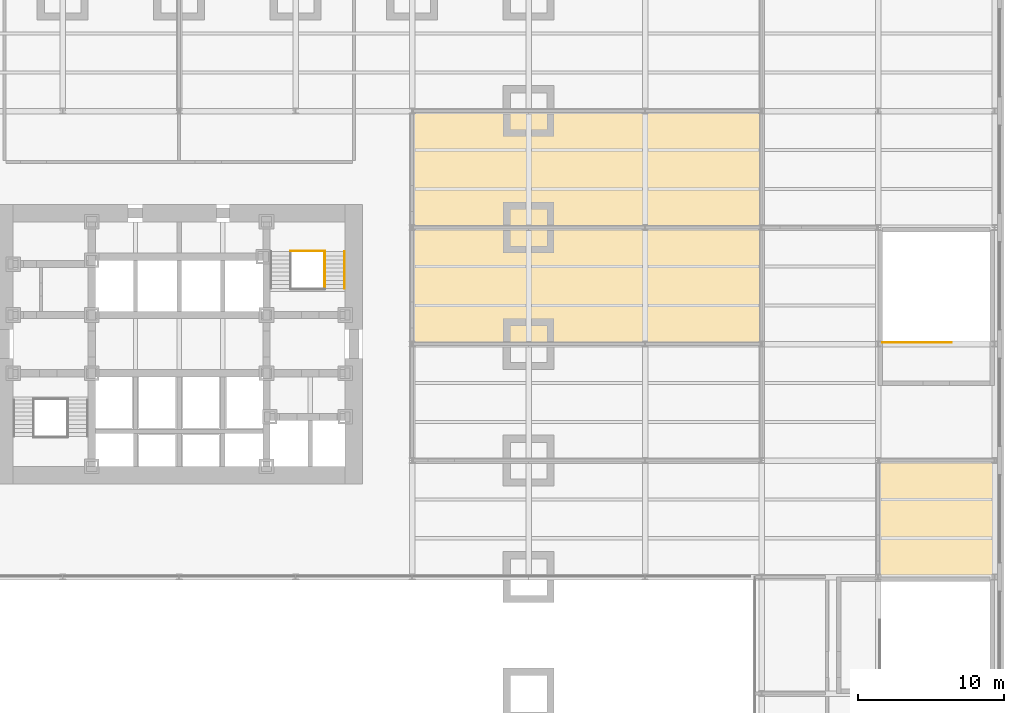
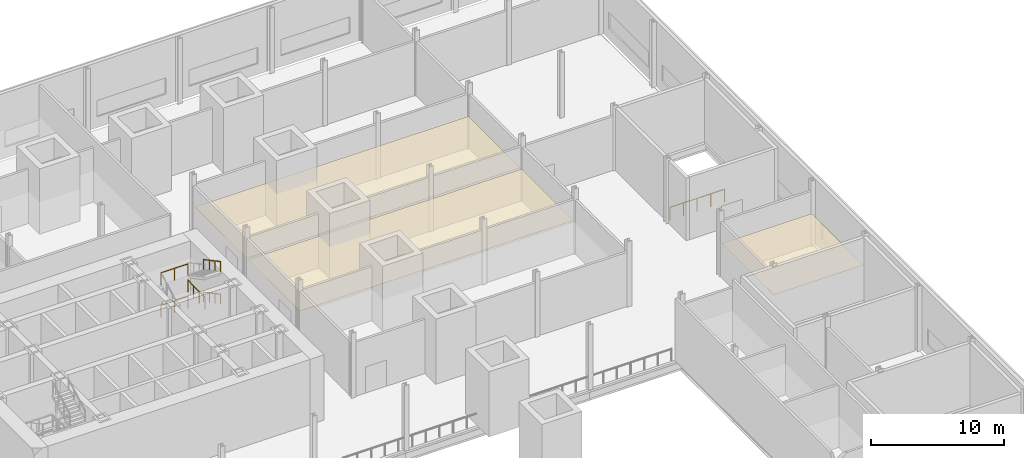
# One storey, part 21 of 21: 6 railings, 3 coverings.
"""IFC4 building model written with IfcOpenShell, lengths in metres."""

from ifc_helpers import new_model, si_unit, direction, frame, origin, origin_2d, place, context, subcontext, project, spatial, polyline, circle, outline, extrude, material, layer, layer_set, type_object, element, save


model = new_model("IFC4")

# Units and contexts
model_context = context("Model", 3, precision=1e-05, world=origin(), true_north=direction((0.0, 1.0)))
body_context = subcontext(model_context, "Body", "Model", "MODEL_VIEW")
ifc_project = project(units=[si_unit("LENGTHUNIT", "METRE"), si_unit("AREAUNIT", "SQUARE_METRE"), si_unit("VOLUMEUNIT", "CUBIC_METRE"), si_unit("PLANEANGLEUNIT", "RADIAN"), si_unit("MASSUNIT", "GRAM", prefix="KILO")], contexts=[model_context])

# Site, building, storey
site_placement = place(None, origin())
site = spatial("IfcSite", under=ifc_project, at=site_placement, CompositionType="ELEMENT")
building_placement = place(site_placement, origin())
building = spatial("IfcBuilding", under=site, at=building_placement, Name="Daluyong Arena Tower", CompositionType="ELEMENT")
storey_placement = place(building_placement, frame((0.0, 0.0, 19.89990234375)))
storey = spatial("IfcBuildingStorey", under=building, at=storey_placement, Name="L04", CompositionType="ELEMENT", Elevation=19.89990234375)

# Coverings
ifc_material_1 = material(Name="Mineral fibre ceiling tile", Category="gypsum board")
ifc_layer = layer(ifc_material_1, 0.02001953125)
ifc_layer_set = layer_set([ifc_layer], Name="Mineral fibre ceiling tile")
covering_type = type_object("IfcCoveringType", Name="Office ceiling", PredefinedType="CEILING", material=ifc_layer_set)
covering_1_placement = place(storey_placement, frame((0.0, 0.0, 2.900146484375)))
element("IfcCovering", 1, at=covering_1_placement, inside=storey, type_object=covering_type, Name="ceiling L04-22", PredefinedType="CEILING", context=body_context, shape_type="SweptSolid", body=[
    extrude(outline(polyline([(111.89990234375, 64.10009765625), (111.89990234375, 71.89990234375), (104.10009765625, 71.89990234375), (104.10009765625, 64.10009765625), (111.89990234375, 64.10009765625)])), origin(), (0.0, 0.0, 1.0), 0.02001953125),
])
covering_2_placement = place(storey_placement, frame((0.0, 0.0, 2.900146484375)))
element("IfcCovering", 2, at=covering_2_placement, inside=storey, type_object=covering_type, Name="ceiling L04-60", PredefinedType="CEILING", context=body_context, shape_type="SweptSolid", body=[
    extrude(outline(polyline([(95.89990234375, 80.10009765625), (95.89990234375, 87.89990234375), (72.10009765625, 87.89990234375), (72.10009765625, 80.10009765625), (95.89990234375, 80.10009765625)])), origin(), (0.0, 0.0, 1.0), 0.02001953125),
])
covering_3_placement = place(storey_placement, frame((0.0, 0.0, 2.900146484375)))
element("IfcCovering", 3, at=covering_3_placement, inside=storey, type_object=covering_type, Name="ceiling L04-61", PredefinedType="CEILING", context=body_context, shape_type="SweptSolid", body=[
    extrude(outline(polyline([(95.89990234375, 88.10009765625), (95.89990234375, 95.89990234375), (72.10009765625, 95.89990234375), (72.10009765625, 88.10009765625), (95.89990234375, 88.10009765625)])), origin(), (0.0, 0.0, 1.0), 0.02001953125),
])

# Railings
ifc_material_2 = material(Name="Stainless steel handrail", Category="steel")
railing_type_1 = type_object("IfcRailingType", Name="Stair handrail", PredefinedType="HANDRAIL", material=ifc_material_2)
for number, where, name in (
    (4, (67.35009765625, 86.344970703125, 1.650146484375), "exit stair B handrail L04"),
    (5, (67.35009765625, 86.344970703125, 4.650146484375), "exit stair B handrail L04"),
):
    element("IfcRailing", number, at=place(storey_placement, frame(where)), inside=storey, type_object=railing_type_1, Name=name, PredefinedType="HANDRAIL", context=body_context, shape_type="SweptSolid", body=[
        extrude(circle(Radius=0.02392578125, at=origin_2d()), frame((0.0, 0.0, 0.8759765625), z_axis=(0.0, -0.88150282143, 0.472178754087), x_axis=(1.0, 0.0, 0.0)), (0.0, 0.0, 1.0), 2.85888671875),
        extrude(circle(Radius=0.02099609375, at=origin_2d()), origin(), (0.0, 0.0, 1.0), 0.851806640625),
        extrude(circle(Radius=0.02099609375, at=origin_2d()), frame((0.0, -0.840087890625, 0.449951171875)), (0.0, 0.0, 1.0), 0.851806640625),
        extrude(circle(Radius=0.02099609375, at=origin_2d()), frame((0.0, -1.679931640625, 0.89990234375)), (0.0, 0.0, 1.0), 0.851806640625),
        extrude(circle(Radius=0.02099609375, at=origin_2d()), frame((0.0, -2.52001953125, 1.349853515625)), (0.0, 0.0, 1.0), 0.851806640625),
    ])
ifc_material_3 = material(Name="Steel balustrade", Category="steel")
railing_type_2 = type_object("IfcRailingType", Name="Stair well guard 1100", PredefinedType="GUARDRAIL", material=ifc_material_3)
for number, where, name in (
    (6, (63.64990234375, 86.39501953125, 1.5), "exit stair B landing guard L04"),
    (7, (63.64990234375, 86.39501953125, 4.5), "exit stair B landing guard L04"),
):
    element("IfcRailing", number, at=place(storey_placement, frame(where)), inside=storey, type_object=railing_type_2, Name=name, PredefinedType="GUARDRAIL", context=body_context, shape_type="SweptSolid", body=[
        extrude(circle(Radius=0.02392578125, at=origin_2d()), frame((0.0, 0.0, 1.076171875), z_axis=(1.0, 0.0, 0.0), x_axis=(0.0, 1.0, 0.0)), (0.0, 0.0, 1.0), 2.35009765625),
        extrude(circle(Radius=0.02099609375, at=origin_2d()), origin(), (0.0, 0.0, 1.0), 1.052001953125),
        extrude(circle(Radius=0.02099609375, at=origin_2d()), frame((1.175048828125, 0.0, 0.0)), (0.0, 0.0, 1.0), 1.052001953125),
        extrude(circle(Radius=0.02099609375, at=origin_2d()), frame((2.35009765625, 0.0, 0.0)), (0.0, 0.0, 1.0), 1.052001953125),
    ])
railing_1_placement = place(storey_placement, frame((66.0, 86.39501953125, 3.0)))
element("IfcRailing", 8, at=railing_1_placement, inside=storey, type_object=railing_type_2, Name="exit stair B landing guard L04", PredefinedType="GUARDRAIL", context=body_context, shape_type="SweptSolid", body=[
    extrude(circle(Radius=0.02392578125, at=origin_2d()), frame((0.0, 0.0, 1.076171875), z_axis=(0.0, -1.0, 0.0), x_axis=(1.0, 0.0, 0.0)), (0.0, 0.0, 1.0), 2.570068359375),
    extrude(circle(Radius=0.02099609375, at=origin_2d()), origin(), (0.0, 0.0, 1.0), 1.052001953125),
    extrude(circle(Radius=0.02099609375, at=origin_2d()), frame((0.0, -0.856689453125, 0.0)), (0.0, 0.0, 1.0), 1.052001953125),
    extrude(circle(Radius=0.02099609375, at=origin_2d()), frame((0.0, -1.71337890625, 0.0)), (0.0, 0.0, 1.0), 1.052001953125),
    extrude(circle(Radius=0.02099609375, at=origin_2d()), frame((0.0, -2.570068359375, 0.0)), (0.0, 0.0, 1.0), 1.052001953125),
])
ifc_material_4 = material(Name="Steel balustrade", Category="steel")
railing_type_3 = type_object("IfcRailingType", Name="Stair well guard 1200", PredefinedType="GUARDRAIL", material=ifc_material_4)
railing_2_placement = place(storey_placement, frame((104.300048828125, 80.110107421875, 0.0)))
element("IfcRailing", 9, at=railing_2_placement, inside=storey, type_object=railing_type_3, Name="stair well guard L04", PredefinedType="GUARDRAIL", context=body_context, shape_type="SweptSolid", body=[
    extrude(circle(Radius=0.02392578125, at=origin_2d()), frame((0.0, 0.0, 1.17578125), z_axis=(1.0, 0.0, 0.0), x_axis=(0.0, 1.0, 0.0)), (0.0, 0.0, 1.0), 4.75),
    extrude(circle(Radius=0.02099609375, at=origin_2d()), origin(), (0.0, 0.0, 1.0), 1.15185546875),
    extrude(circle(Radius=0.02099609375, at=origin_2d()), frame((1.1875, 0.0, 0.0)), (0.0, 0.0, 1.0), 1.15185546875),
    extrude(circle(Radius=0.02099609375, at=origin_2d()), frame((2.375, 0.0, 0.0)), (0.0, 0.0, 1.0), 1.15185546875),
    extrude(circle(Radius=0.02099609375, at=origin_2d()), frame((3.5625, 0.0, 0.0)), (0.0, 0.0, 1.0), 1.15185546875),
    extrude(circle(Radius=0.02099609375, at=origin_2d()), frame((4.75, 0.0, 0.0)), (0.0, 0.0, 1.0), 1.15185546875),
])

save(model, "model.ifc")
